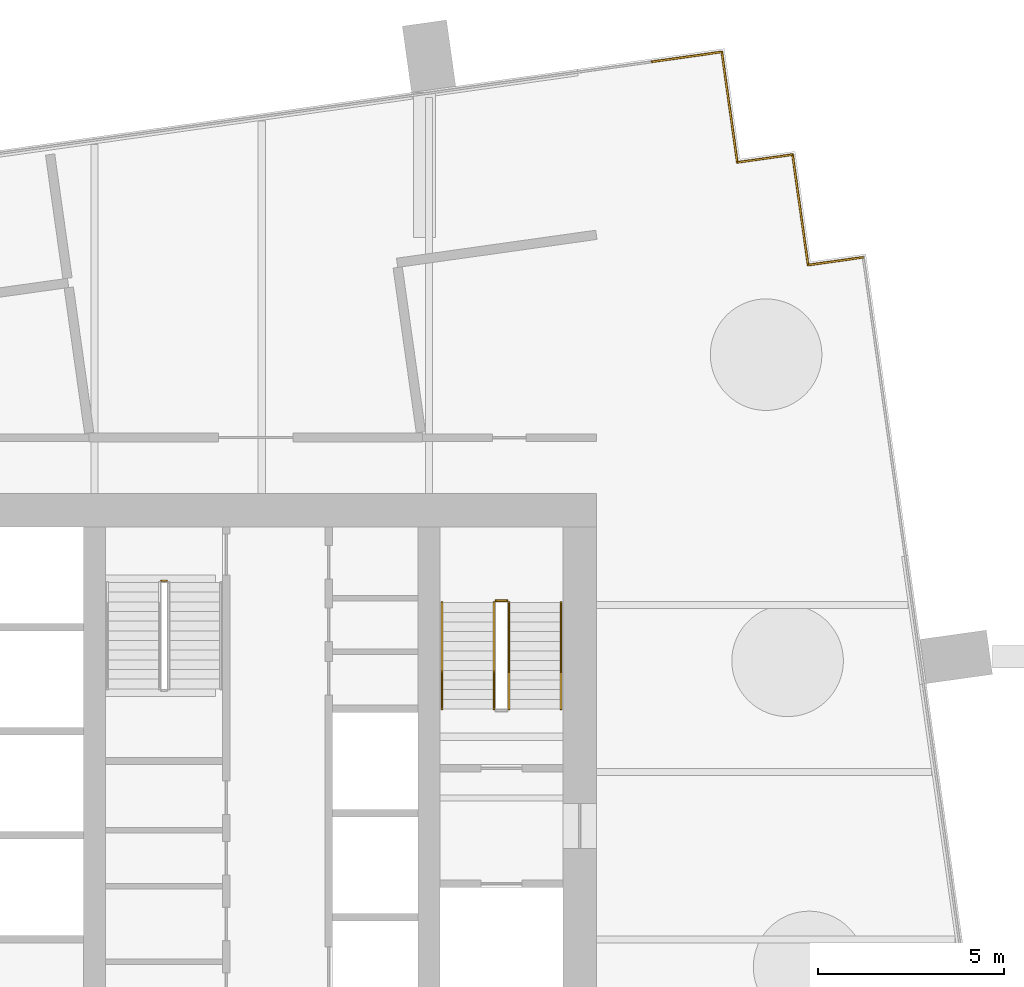
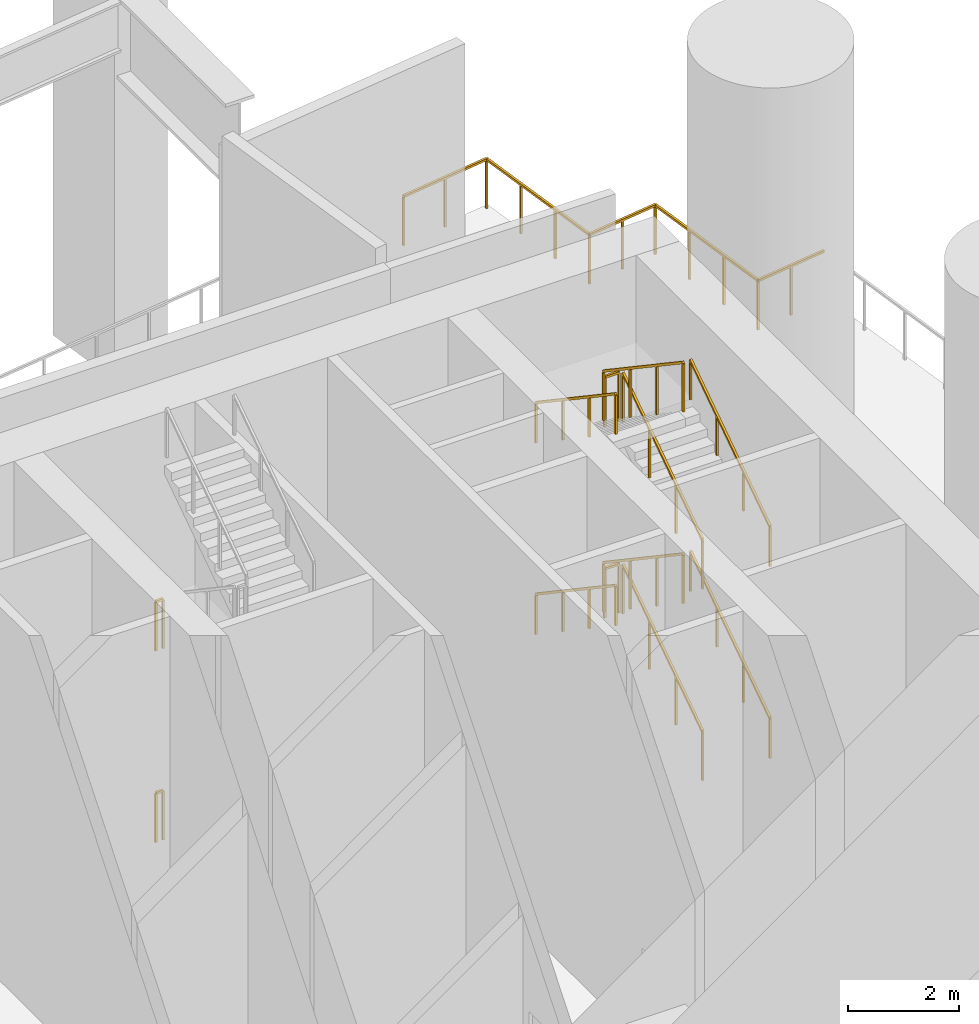
# One storey, part 12 of 13: 17 railings.
"""IFC4 building model written with IfcOpenShell, lengths in metres."""

from ifc_helpers import new_model, si_unit, direction, frame, origin, origin_2d, place, context, subcontext, project, spatial, rectangle, extrude, material, type_object, element, save


model = new_model("IFC4")

# Units and contexts
model_context = context("Model", 3, precision=1e-05, world=origin(), true_north=direction((0.0, 1.0)))
body_context = subcontext(model_context, "Body", "Model", "MODEL_VIEW")
ifc_project = project(units=[si_unit("LENGTHUNIT", "METRE"), si_unit("AREAUNIT", "SQUARE_METRE"), si_unit("VOLUMEUNIT", "CUBIC_METRE"), si_unit("PLANEANGLEUNIT", "RADIAN"), si_unit("MASSUNIT", "GRAM", prefix="KILO")], contexts=[model_context])

# Site, building, storey
site_placement = place(None, origin())
site = spatial("IfcSite", under=ifc_project, at=site_placement, CompositionType="ELEMENT")
building_placement = place(site_placement, origin())
building = spatial("IfcBuilding", under=site, at=building_placement, Name="Rattan Terrace Tower", CompositionType="ELEMENT")
storey_placement = place(building_placement, frame((0.0, 0.0, 199.699951171875)))
storey = spatial("IfcBuildingStorey", under=building, at=storey_placement, Name="L46", CompositionType="ELEMENT", Elevation=199.699951171875)

# Railings
ifc_material_1 = material(Name="Powder-coated steel guard", Category="steel")
railing_type_1 = type_object("IfcRailingType", Name="Core stair guard", PredefinedType="GUARDRAIL", material=ifc_material_1)
railing_1_placement = place(storey_placement, frame((15.64990234375, 1.699951171875, 0.175048828125)))
element("IfcRailing", 1, at=railing_1_placement, inside=storey, type_object=railing_type_1, Name="L46 S2 stair guard 1", PredefinedType="GUARDRAIL", context=body_context, shape_type="SweptSolid", body=[
    extrude(rectangle(XDim=0.048095703125, YDim=0.048095703125, at=origin_2d()), frame((0.0, 0.0, 1.076171875), z_axis=(0.0, 0.829590901723, 0.558371682465), x_axis=(-1.0, 0.0, 0.0)), (0.0, 0.0, 1.0), 3.447509765625),
    extrude(rectangle(XDim=0.0419921875, YDim=0.0419921875, at=origin_2d()), origin(), (0.0, 0.0, 1.0), 1.052001953125),
    extrude(rectangle(XDim=0.0419921875, YDim=0.0419921875, at=origin_2d()), frame((0.0, 0.953369140625, 0.6416015625)), (0.0, 0.0, 1.0), 1.052001953125),
    extrude(rectangle(XDim=0.0419921875, YDim=0.0419921875, at=origin_2d()), frame((0.0, 1.90673828125, 1.283447265625)), (0.0, 0.0, 1.0), 1.052001953125),
    extrude(rectangle(XDim=0.0419921875, YDim=0.0419921875, at=origin_2d()), frame((0.0, 2.860107421875, 1.925048828125)), (0.0, 0.0, 1.0), 1.052001953125),
])
railing_2_placement = place(storey_placement, frame((15.60009765625, 4.610107421875, 2.10009765625)))
element("IfcRailing", 2, at=railing_2_placement, inside=storey, type_object=railing_type_1, Name="L46 S2 stair guard 2", PredefinedType="GUARDRAIL", context=body_context, shape_type="SweptSolid", body=[
    extrude(rectangle(XDim=0.048095703125, YDim=0.048095703125, at=origin_2d()), frame((0.0, 0.0, 1.076171875), z_axis=(-1.0, 0.0, 0.0), x_axis=(0.0, -1.0, 0.0)), (0.0, 0.0, 1.0), 0.300048828125),
    extrude(rectangle(XDim=0.0419921875, YDim=0.0419921875, at=origin_2d()), origin(), (0.0, 0.0, 1.0), 1.052001953125),
    extrude(rectangle(XDim=0.0419921875, YDim=0.0419921875, at=origin_2d()), frame((-0.300048828125, 0.0, 0.0)), (0.0, 0.0, 1.0), 1.052001953125),
])
railing_3_placement = place(storey_placement, frame((15.25, 4.56005859375, 2.275146484375)))
element("IfcRailing", 3, at=railing_3_placement, inside=storey, type_object=railing_type_1, Name="L46 S2 stair guard 3", PredefinedType="GUARDRAIL", context=body_context, shape_type="SweptSolid", body=[
    extrude(rectangle(XDim=0.048095703125, YDim=0.048095703125, at=origin_2d()), frame((0.0, 0.0, 1.076171875), z_axis=(0.0, -0.829623704247, 0.558322943601), x_axis=(1.0, 0.0, 0.0)), (0.0, 0.0, 1.0), 3.447509765625),
    extrude(rectangle(XDim=0.0419921875, YDim=0.0419921875, at=origin_2d()), origin(), (0.0, 0.0, 1.0), 1.052001953125),
    extrude(rectangle(XDim=0.0419921875, YDim=0.0419921875, at=origin_2d()), frame((0.0, -0.953369140625, 0.6416015625)), (0.0, 0.0, 1.0), 1.052001953125),
    extrude(rectangle(XDim=0.0419921875, YDim=0.0419921875, at=origin_2d()), frame((0.0, -1.90673828125, 1.283203125)), (0.0, 0.0, 1.0), 1.052001953125),
    extrude(rectangle(XDim=0.0419921875, YDim=0.0419921875, at=origin_2d()), frame((0.0, -2.860107421875, 1.9248046875)), (0.0, 0.0, 1.0), 1.052001953125),
])
railing_4_placement = place(storey_placement, frame((15.64990234375, 1.699951171875, 4.375)))
element("IfcRailing", 4, at=railing_4_placement, inside=storey, type_object=railing_type_1, Name="L46 S2 stair guard 5", PredefinedType="GUARDRAIL", context=body_context, shape_type="SweptSolid", body=[
    extrude(rectangle(XDim=0.048095703125, YDim=0.048095703125, at=origin_2d()), frame((0.0, 0.0, 1.076171875), z_axis=(0.0, 0.829590901723, 0.558371682465), x_axis=(-1.0, 0.0, 0.0)), (0.0, 0.0, 1.0), 3.447509765625),
    extrude(rectangle(XDim=0.0419921875, YDim=0.0419921875, at=origin_2d()), origin(), (0.0, 0.0, 1.0), 1.052001953125),
    extrude(rectangle(XDim=0.0419921875, YDim=0.0419921875, at=origin_2d()), frame((0.0, 0.953369140625, 0.6416015625)), (0.0, 0.0, 1.0), 1.052001953125),
    extrude(rectangle(XDim=0.0419921875, YDim=0.0419921875, at=origin_2d()), frame((0.0, 1.90673828125, 1.283447265625)), (0.0, 0.0, 1.0), 1.052001953125),
    extrude(rectangle(XDim=0.0419921875, YDim=0.0419921875, at=origin_2d()), frame((0.0, 2.860107421875, 1.925048828125)), (0.0, 0.0, 1.0), 1.052001953125),
])
railing_5_placement = place(storey_placement, frame((15.60009765625, 4.610107421875, 6.300048828125)))
element("IfcRailing", 5, at=railing_5_placement, inside=storey, type_object=railing_type_1, Name="L46 S2 stair guard 6", PredefinedType="GUARDRAIL", context=body_context, shape_type="SweptSolid", body=[
    extrude(rectangle(XDim=0.048095703125, YDim=0.048095703125, at=origin_2d()), frame((0.0, 0.0, 1.076171875), z_axis=(-1.0, 0.0, 0.0), x_axis=(0.0, -1.0, 0.0)), (0.0, 0.0, 1.0), 0.300048828125),
    extrude(rectangle(XDim=0.0419921875, YDim=0.0419921875, at=origin_2d()), origin(), (0.0, 0.0, 1.0), 1.052001953125),
    extrude(rectangle(XDim=0.0419921875, YDim=0.0419921875, at=origin_2d()), frame((-0.300048828125, 0.0, 0.0)), (0.0, 0.0, 1.0), 1.052001953125),
])
railing_6_placement = place(storey_placement, frame((15.25, 4.56005859375, 6.47509765625)))
element("IfcRailing", 6, at=railing_6_placement, inside=storey, type_object=railing_type_1, Name="L46 S2 stair guard 7", PredefinedType="GUARDRAIL", context=body_context, shape_type="SweptSolid", body=[
    extrude(rectangle(XDim=0.048095703125, YDim=0.048095703125, at=origin_2d()), frame((0.0, 0.0, 1.076171875), z_axis=(0.0, -0.829590901723, 0.558371682465), x_axis=(1.0, 0.0, 0.0)), (0.0, 0.0, 1.0), 3.447509765625),
    extrude(rectangle(XDim=0.0419921875, YDim=0.0419921875, at=origin_2d()), origin(), (0.0, 0.0, 1.0), 1.052001953125),
    extrude(rectangle(XDim=0.0419921875, YDim=0.0419921875, at=origin_2d()), frame((0.0, -0.953369140625, 0.6416015625)), (0.0, 0.0, 1.0), 1.052001953125),
    extrude(rectangle(XDim=0.0419921875, YDim=0.0419921875, at=origin_2d()), frame((0.0, -1.90673828125, 1.283447265625)), (0.0, 0.0, 1.0), 1.052001953125),
    extrude(rectangle(XDim=0.0419921875, YDim=0.0419921875, at=origin_2d()), frame((0.0, -2.860107421875, 1.925048828125)), (0.0, 0.0, 1.0), 1.052001953125),
])
for number, where, name in (
    (7, (6.300048828125, 5.14990234375, 4.199951171875), "L46 S3 stair guard 4"),
    (8, (6.300048828125, 5.14990234375, 0.0), "L46 S3 stair guard 8"),
):
    element("IfcRailing", number, at=place(storey_placement, frame(where)), inside=storey, type_object=railing_type_1, Name=name, PredefinedType="GUARDRAIL", context=body_context, shape_type="SweptSolid", body=[
        extrude(rectangle(XDim=0.048095703125, YDim=0.048095703125, at=origin_2d()), frame((0.0, 0.0, 1.076171875), z_axis=(1.0, 0.0, 0.0), x_axis=(0.0, 1.0, 0.0)), (0.0, 0.0, 1.0), 0.14990234375),
        extrude(rectangle(XDim=0.0419921875, YDim=0.0419921875, at=origin_2d()), origin(), (0.0, 0.0, 1.0), 1.052001953125),
        extrude(rectangle(XDim=0.0419921875, YDim=0.0419921875, at=origin_2d()), frame((0.14990234375, 0.0, 0.0)), (0.0, 0.0, 1.0), 1.052001953125),
    ])
ifc_material_2 = material(Name="Powder-coated steel handrail", Category="steel")
railing_type_2 = type_object("IfcRailingType", Name="Core stair handrail", PredefinedType="HANDRAIL", material=ifc_material_2)
railing_7_placement = place(storey_placement, frame((17.050048828125, 1.699951171875, 0.175048828125)))
element("IfcRailing", 9, at=railing_7_placement, inside=storey, type_object=railing_type_2, Name="L46 S2 stair handrail 1", PredefinedType="HANDRAIL", context=body_context, shape_type="SweptSolid", body=[
    extrude(rectangle(XDim=0.048095703125, YDim=0.048095703125, at=origin_2d()), frame((0.0, 0.0, 0.8759765625), z_axis=(0.0, 0.829590901723, 0.558371682465), x_axis=(-1.0, 0.0, 0.0)), (0.0, 0.0, 1.0), 3.447509765625),
    extrude(rectangle(XDim=0.0419921875, YDim=0.0419921875, at=origin_2d()), origin(), (0.0, 0.0, 1.0), 0.851806640625),
    extrude(rectangle(XDim=0.0419921875, YDim=0.0419921875, at=origin_2d()), frame((0.0, 0.953369140625, 0.6416015625)), (0.0, 0.0, 1.0), 0.851806640625),
    extrude(rectangle(XDim=0.0419921875, YDim=0.0419921875, at=origin_2d()), frame((0.0, 1.90673828125, 1.283447265625)), (0.0, 0.0, 1.0), 0.851806640625),
    extrude(rectangle(XDim=0.0419921875, YDim=0.0419921875, at=origin_2d()), frame((0.0, 2.860107421875, 1.925048828125)), (0.0, 0.0, 1.0), 0.851806640625),
])
railing_8_placement = place(storey_placement, frame((13.85009765625, 4.56005859375, 2.275146484375)))
element("IfcRailing", 10, at=railing_8_placement, inside=storey, type_object=railing_type_2, Name="L46 S2 stair handrail 2", PredefinedType="HANDRAIL", context=body_context, shape_type="SweptSolid", body=[
    extrude(rectangle(XDim=0.048095703125, YDim=0.048095703125, at=origin_2d()), frame((0.0, 0.0, 0.8759765625), z_axis=(0.0, -0.829623704247, 0.558322943601), x_axis=(1.0, 0.0, 0.0)), (0.0, 0.0, 1.0), 3.447509765625),
    extrude(rectangle(XDim=0.0419921875, YDim=0.0419921875, at=origin_2d()), origin(), (0.0, 0.0, 1.0), 0.851806640625),
    extrude(rectangle(XDim=0.0419921875, YDim=0.0419921875, at=origin_2d()), frame((0.0, -0.953369140625, 0.6416015625)), (0.0, 0.0, 1.0), 0.851806640625),
    extrude(rectangle(XDim=0.0419921875, YDim=0.0419921875, at=origin_2d()), frame((0.0, -1.90673828125, 1.283203125)), (0.0, 0.0, 1.0), 0.851806640625),
    extrude(rectangle(XDim=0.0419921875, YDim=0.0419921875, at=origin_2d()), frame((0.0, -2.860107421875, 1.9248046875)), (0.0, 0.0, 1.0), 0.851806640625),
])
railing_9_placement = place(storey_placement, frame((17.050048828125, 1.699951171875, 4.375)))
element("IfcRailing", 11, at=railing_9_placement, inside=storey, type_object=railing_type_2, Name="L46 S2 stair handrail 3", PredefinedType="HANDRAIL", context=body_context, shape_type="SweptSolid", body=[
    extrude(rectangle(XDim=0.048095703125, YDim=0.048095703125, at=origin_2d()), frame((0.0, 0.0, 0.8759765625), z_axis=(0.0, 0.829590901723, 0.558371682465), x_axis=(-1.0, 0.0, 0.0)), (0.0, 0.0, 1.0), 3.447509765625),
    extrude(rectangle(XDim=0.0419921875, YDim=0.0419921875, at=origin_2d()), origin(), (0.0, 0.0, 1.0), 0.851806640625),
    extrude(rectangle(XDim=0.0419921875, YDim=0.0419921875, at=origin_2d()), frame((0.0, 0.953369140625, 0.6416015625)), (0.0, 0.0, 1.0), 0.851806640625),
    extrude(rectangle(XDim=0.0419921875, YDim=0.0419921875, at=origin_2d()), frame((0.0, 1.90673828125, 1.283447265625)), (0.0, 0.0, 1.0), 0.851806640625),
    extrude(rectangle(XDim=0.0419921875, YDim=0.0419921875, at=origin_2d()), frame((0.0, 2.860107421875, 1.925048828125)), (0.0, 0.0, 1.0), 0.851806640625),
])
railing_10_placement = place(storey_placement, frame((13.85009765625, 4.56005859375, 6.47509765625)))
element("IfcRailing", 12, at=railing_10_placement, inside=storey, type_object=railing_type_2, Name="L46 S2 stair handrail 4", PredefinedType="HANDRAIL", context=body_context, shape_type="SweptSolid", body=[
    extrude(rectangle(XDim=0.048095703125, YDim=0.048095703125, at=origin_2d()), frame((0.0, 0.0, 0.8759765625), z_axis=(0.0, -0.829590901723, 0.558371682465), x_axis=(1.0, 0.0, 0.0)), (0.0, 0.0, 1.0), 3.447509765625),
    extrude(rectangle(XDim=0.0419921875, YDim=0.0419921875, at=origin_2d()), origin(), (0.0, 0.0, 1.0), 0.851806640625),
    extrude(rectangle(XDim=0.0419921875, YDim=0.0419921875, at=origin_2d()), frame((0.0, -0.953369140625, 0.6416015625)), (0.0, 0.0, 1.0), 0.851806640625),
    extrude(rectangle(XDim=0.0419921875, YDim=0.0419921875, at=origin_2d()), frame((0.0, -1.90673828125, 1.283447265625)), (0.0, 0.0, 1.0), 0.851806640625),
    extrude(rectangle(XDim=0.0419921875, YDim=0.0419921875, at=origin_2d()), frame((0.0, -2.860107421875, 1.925048828125)), (0.0, 0.0, 1.0), 0.851806640625),
])
ifc_material_3 = material(Name="Stainless steel 316", Category="steel")
railing_type_3 = type_object("IfcRailingType", Name="Facade Guard 1100", PredefinedType="GUARDRAIL", material=ifc_material_3)
railing_11_placement = place(storey_placement, frame((19.5, 19.10888671875, 0.0)))
element("IfcRailing", 13, at=railing_11_placement, inside=storey, type_object=railing_type_3, Name="Slot guard L46-1-1", PredefinedType="GUARDRAIL", context=body_context, shape_type="SweptSolid", body=[
    extrude(rectangle(XDim=0.048095703125, YDim=0.048095703125, at=origin_2d()), frame((0.0, 0.0, 1.076171875), z_axis=(0.990220986785, 0.139507696315, 0.0), x_axis=(-0.139507696315, 0.990220986785, 0.0)), (0.0, 0.0, 1.0), 1.8935546875),
    extrude(rectangle(XDim=0.0419921875, YDim=0.0419921875, at=origin_2d()), origin(), (0.0, 0.0, 1.0), 1.052001953125),
    extrude(rectangle(XDim=0.0419921875, YDim=0.0419921875, at=origin_2d()), frame((0.9375, 0.132080078125, 0.0)), (0.0, 0.0, 1.0), 1.052001953125),
])
railing_12_placement = place(storey_placement, frame((21.375, 19.373046875, 0.0)))
element("IfcRailing", 14, at=railing_12_placement, inside=storey, type_object=railing_type_3, Name="Slot guard L46-1-2", PredefinedType="GUARDRAIL", context=body_context, shape_type="SweptSolid", body=[
    extrude(rectangle(XDim=0.048095703125, YDim=0.048095703125, at=origin_2d()), frame((0.0, 0.0, 1.076171875), z_axis=(0.139313431826, -0.990248336385, 0.0), x_axis=(0.990248336385, 0.139313431826, 0.0)), (0.0, 0.0, 1.0), 3.000244140625),
    extrude(rectangle(XDim=0.0419921875, YDim=0.0419921875, at=origin_2d()), origin(), (0.0, 0.0, 1.0), 1.052001953125),
    extrude(rectangle(XDim=0.0419921875, YDim=0.0419921875, at=origin_2d()), frame((0.139404296875, -0.990234375, 0.0)), (0.0, 0.0, 1.0), 1.052001953125),
    extrude(rectangle(XDim=0.0419921875, YDim=0.0419921875, at=origin_2d()), frame((0.278564453125, -1.980712890625, 0.0)), (0.0, 0.0, 1.0), 1.052001953125),
])
railing_13_placement = place(storey_placement, frame((21.79296875, 16.402099609375, 0.0)))
element("IfcRailing", 15, at=railing_13_placement, inside=storey, type_object=railing_type_3, Name="Slot guard L46-1-3", PredefinedType="GUARDRAIL", context=body_context, shape_type="SweptSolid", body=[
    extrude(rectangle(XDim=0.048095703125, YDim=0.048095703125, at=origin_2d()), frame((0.0, 0.0, 1.076171875), z_axis=(0.990243596651, 0.13934711799, 0.0), x_axis=(-0.13934711799, 0.990243596651, 0.0)), (0.0, 0.0, 1.0), 1.499755859375),
    extrude(rectangle(XDim=0.0419921875, YDim=0.0419921875, at=origin_2d()), origin(), (0.0, 0.0, 1.0), 1.052001953125),
    extrude(rectangle(XDim=0.0419921875, YDim=0.0419921875, at=origin_2d()), frame((0.74267578125, 0.1044921875, 0.0)), (0.0, 0.0, 1.0), 1.052001953125),
])
railing_14_placement = place(storey_placement, frame((23.278076171875, 16.611083984375, 0.0)))
element("IfcRailing", 16, at=railing_14_placement, inside=storey, type_object=railing_type_3, Name="Slot guard L46-1-4", PredefinedType="GUARDRAIL", context=body_context, shape_type="SweptSolid", body=[
    extrude(rectangle(XDim=0.048095703125, YDim=0.048095703125, at=origin_2d()), frame((0.0, 0.0, 1.076171875), z_axis=(0.139302206688, -0.990249915532, 0.0), x_axis=(0.990249915532, 0.139302206688, 0.0)), (0.0, 0.0, 1.0), 3.00048828125),
    extrude(rectangle(XDim=0.0419921875, YDim=0.0419921875, at=origin_2d()), origin(), (0.0, 0.0, 1.0), 1.052001953125),
    extrude(rectangle(XDim=0.0419921875, YDim=0.0419921875, at=origin_2d()), frame((0.139404296875, -0.990478515625, 0.0)), (0.0, 0.0, 1.0), 1.052001953125),
    extrude(rectangle(XDim=0.0419921875, YDim=0.0419921875, at=origin_2d()), frame((0.278564453125, -1.980712890625, 0.0)), (0.0, 0.0, 1.0), 1.052001953125),
])
railing_15_placement = place(storey_placement, frame((23.696044921875, 13.639892578125, 0.0)))
element("IfcRailing", 17, at=railing_15_placement, inside=storey, type_object=railing_type_3, Name="Slot guard L46-1-5", PredefinedType="GUARDRAIL", context=body_context, shape_type="SweptSolid", body=[
    extrude(rectangle(XDim=0.048095703125, YDim=0.048095703125, at=origin_2d()), frame((0.0, 0.0, 1.076171875), z_axis=(0.990217952567, 0.139529231396, 0.0), x_axis=(-0.139529231396, 0.990217952567, 0.0)), (0.0, 0.0, 1.0), 1.49951171875),
    extrude(rectangle(XDim=0.0419921875, YDim=0.0419921875, at=origin_2d()), origin(), (0.0, 0.0, 1.0), 1.052001953125),
    extrude(rectangle(XDim=0.0419921875, YDim=0.0419921875, at=origin_2d()), frame((0.742431640625, 0.1044921875, 0.0)), (0.0, 0.0, 1.0), 1.052001953125),
])

save(model, "model.ifc")
